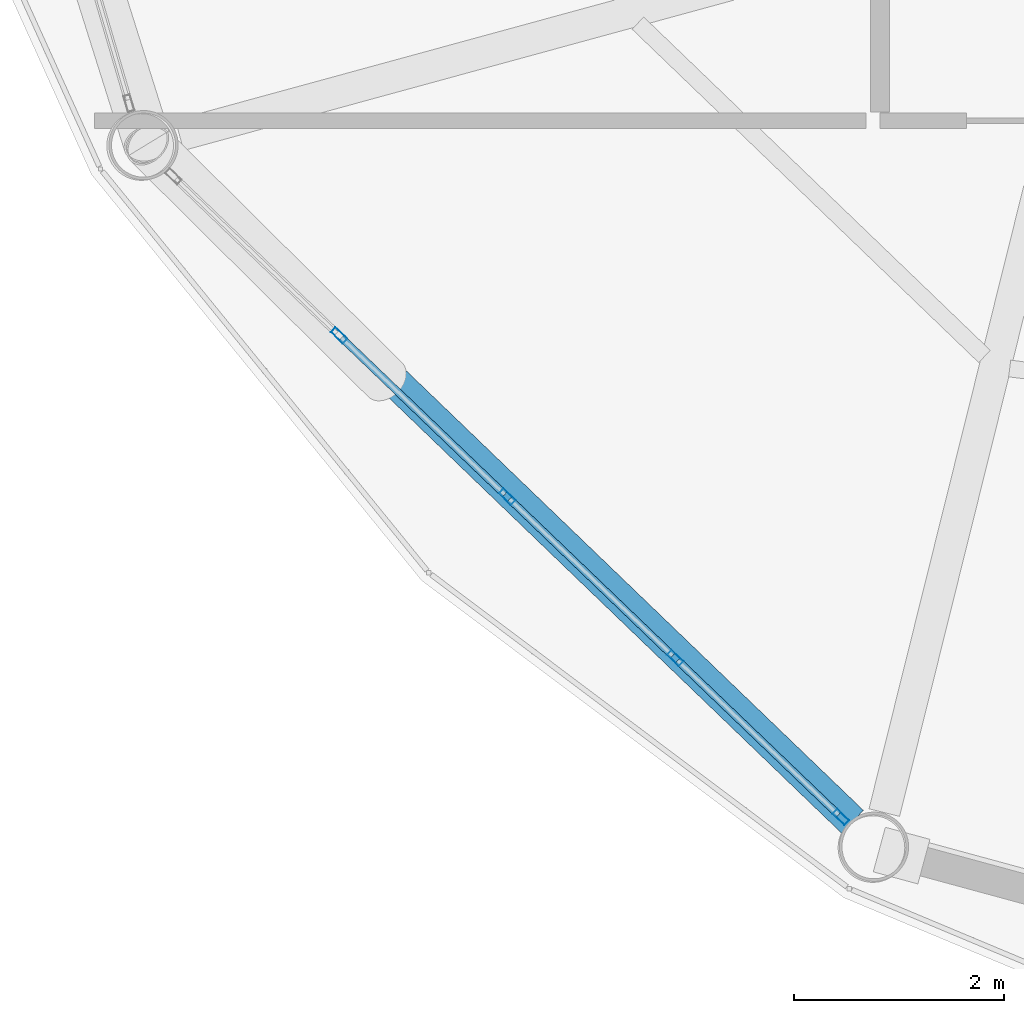
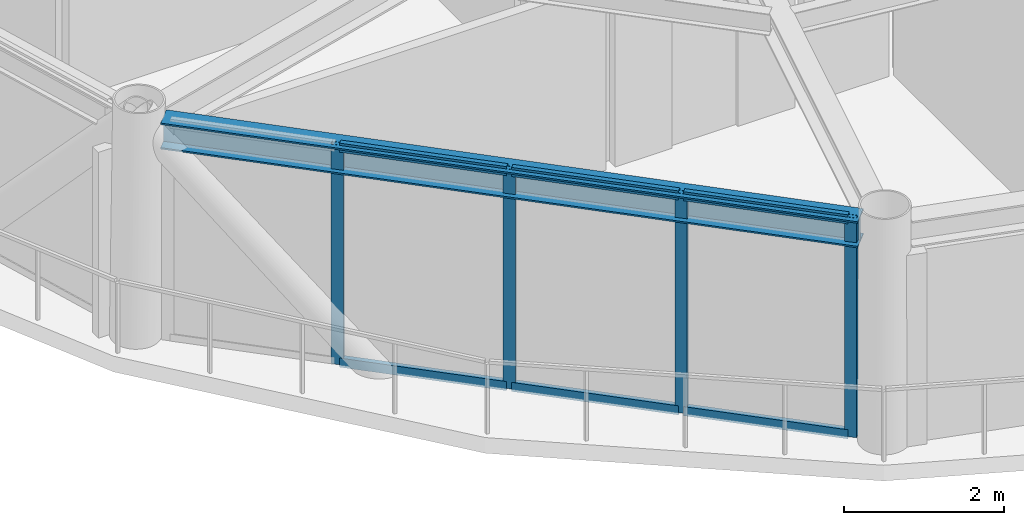
# One storey, part 2 of 28: 10 members, 1 beam, 1 element without a shape of its own.
"""IFC4 building model written with IfcOpenShell, lengths in metres."""

from ifc_helpers import new_model, si_unit, direction, frame, origin, origin_2d, place, context, subcontext, project, spatial, hollow_rectangle, i_section, extrude, material, layer, layer_set, material_profile, profile_set, type_object, element, aggregate, save


model = new_model("IFC4")

# Units and contexts
model_context = context("Model", 3, precision=1e-05, world=origin(), true_north=direction((0.0, 1.0)))
body_context = subcontext(model_context, "Body", "Model", "MODEL_VIEW")
ifc_project = project(units=[si_unit("LENGTHUNIT", "METRE"), si_unit("AREAUNIT", "SQUARE_METRE"), si_unit("VOLUMEUNIT", "CUBIC_METRE"), si_unit("PLANEANGLEUNIT", "RADIAN"), si_unit("MASSUNIT", "GRAM", prefix="KILO")], contexts=[model_context])

# Site, building, storey
site_placement = place(None, origin())
site = spatial("IfcSite", under=ifc_project, at=site_placement, CompositionType="ELEMENT")
building_placement = place(site_placement, origin())
building = spatial("IfcBuilding", under=site, at=building_placement, Name="Varnakorn Sky Granary", CompositionType="ELEMENT")
storey_placement = place(building_placement, frame((0.0, 0.0, 211.199951171875)))
storey = spatial("IfcBuildingStorey", under=building, at=storey_placement, Name="L53", CompositionType="ELEMENT", Elevation=211.199951171875)

# Beam
ifc_material_1 = material(Name="Steel S355JR", Category="steel")
ifc_material_profile_1 = material_profile(ifc_material_1, i_section(OverallWidth=0.300048828125, OverallDepth=0.39990234375, WebThickness=0.013427734375, FlangeThickness=0.02392578125, at=origin_2d()), Name="HE 400 B")
ifc_profile_set_1 = profile_set([ifc_material_profile_1], Name="Steel S355JR")
beam_type = type_object("IfcBeamType", Name="BM-SPD-Z4", PredefinedType="SPANDREL", material=ifc_profile_set_1)
beam_placement = place(storey_placement, frame((-11.351318359375, -9.33935546875, 3.16015625), z_axis=(0.720801797987, -0.693141232376, 0.0), x_axis=(0.693141232376, 0.720801797987, 0.0)))
element("IfcBeam", 1, at=beam_placement, inside=storey, type_object=beam_type, Name="Perimeter Spandrel Ring Beam RB08 L53", PredefinedType="SPANDREL", context=body_context, shape_type="SweptSolid", body=[
    extrude(i_section(OverallWidth=0.300048828125, OverallDepth=0.39990234375, WebThickness=0.013427734375, FlangeThickness=0.02392578125, at=origin_2d()), origin(), (0.0, 0.0, 1.0), 9.0029296875),
])

# Curtain wall, members
ifc_material_2 = material(Name="Anodised Bronze Aluminium Alloy 6063-T6", Category="aluminium")
ifc_layer = layer(ifc_material_2, 0.169921875, Name="Anodised Bronze Aluminium Alloy 6063-T6")
ifc_layer_set = layer_set([ifc_layer], Name="Anodised Bronze Aluminium Alloy 6063-T6")
curtain_wall_type = type_object("IfcCurtainWallType", Name="CW-LAB-1", PredefinedType="USERDEFINED", material=ifc_layer_set)
curtain_wall_placement = place(storey_placement, origin())
curtain_wall = element("IfcCurtainWall", 2, at=curtain_wall_placement, inside=storey, type_object=curtain_wall_type, Name="Unitised Curtain Wall CW5 CW-L53-B08", ObjectType="CURTAIN WALL", PredefinedType="USERDEFINED")
ifc_material_profile_2 = material_profile(ifc_material_2, hollow_rectangle(XDim=0.06494140625, YDim=0.159912109375, WallThickness=0.00341796875, at=origin_2d()), Name="ALU MULL 65x160")
ifc_profile_set_2 = profile_set([ifc_material_profile_2], Name="Anodised Bronze Aluminium Alloy 6063-T6")
member_type_1 = type_object("IfcMemberType", Name="CW-LAB-1-MULL", PredefinedType="MULLION", material=ifc_profile_set_2)
member_1_placement = place(storey_placement, frame((-4.9736328125, -15.534912109375, 0.0), z_axis=(0.0, 0.0, 1.0), x_axis=(-0.692516121649, -0.721402398982, 0.0)))
member_1 = element("IfcMember", 3, at=member_1_placement, type_object=member_type_1, Name="CW5 mullion 1", PredefinedType="MULLION", context=body_context, shape_type="SweptSolid", body=[
    extrude(hollow_rectangle(XDim=0.06494140625, YDim=0.159912109375, WallThickness=0.00341796875, at=origin_2d()), origin(), (0.0, 0.0, 1.0), 3.360107421875),
])
member_2_placement = place(storey_placement, frame((-6.5517578125, -14.02001953125, 0.0), z_axis=(0.0, 0.0, 1.0), x_axis=(-0.692516121649, -0.721402398982, 0.0)))
member_2 = element("IfcMember", 4, at=member_2_placement, type_object=member_type_1, Name="CW5 mullion 2", PredefinedType="MULLION", context=body_context, shape_type="SweptSolid", body=[
    extrude(hollow_rectangle(XDim=0.06494140625, YDim=0.159912109375, WallThickness=0.00341796875, at=origin_2d()), origin(), (0.0, 0.0, 1.0), 3.360107421875),
])
member_3_placement = place(storey_placement, frame((-8.1533203125, -12.482666015625, 0.0), z_axis=(0.0, 0.0, 1.0), x_axis=(-0.692516121649, -0.721402398982, 0.0)))
member_3 = element("IfcMember", 5, at=member_3_placement, type_object=member_type_1, Name="CW5 mullion 3", PredefinedType="MULLION", context=body_context, shape_type="SweptSolid", body=[
    extrude(hollow_rectangle(XDim=0.06494140625, YDim=0.159912109375, WallThickness=0.00341796875, at=origin_2d()), origin(), (0.0, 0.0, 1.0), 3.360107421875),
])
member_4_placement = place(storey_placement, frame((-9.754638671875, -10.9453125, 0.0), z_axis=(0.0, 0.0, 1.0), x_axis=(-0.692516121649, -0.721402398982, 0.0)))
member_4 = element("IfcMember", 6, at=member_4_placement, type_object=member_type_1, Name="CW5 mullion 4", PredefinedType="MULLION", context=body_context, shape_type="SweptSolid", body=[
    extrude(hollow_rectangle(XDim=0.06494140625, YDim=0.159912109375, WallThickness=0.00341796875, at=origin_2d()), origin(), (0.0, 0.0, 1.0), 3.360107421875),
])
ifc_material_profile_3 = material_profile(ifc_material_2, hollow_rectangle(XDim=0.070068359375, YDim=0.139892578125, WallThickness=0.00341796875, at=origin_2d()), Name="ALU TRAN 70x140")
ifc_profile_set_3 = profile_set([ifc_material_profile_3], Name="Anodised Bronze Aluminium Alloy 6063-T6")
member_type_2 = type_object("IfcMemberType", Name="CW-LAB-1-TRAN", PredefinedType="USERDEFINED", material=ifc_profile_set_3)
member_5_placement = place(storey_placement, frame((-4.9970703125, -15.512451171875, 0.03515625), z_axis=(-0.721394216342, 0.692524645503, 0.0), x_axis=(-0.692524645503, -0.721394216342, 0.0)))
member_5 = element("IfcMember", 7, at=member_5_placement, type_object=member_type_2, Name="CW5 transom 1.1", ObjectType="TRANSOM", PredefinedType="USERDEFINED", context=body_context, shape_type="SweptSolid", body=[
    extrude(hollow_rectangle(XDim=0.070068359375, YDim=0.139892578125, WallThickness=0.00341796875, at=origin_2d()), origin(), (0.0, 0.0, 1.0), 2.12255859375),
])
member_6_placement = place(storey_placement, frame((-4.9970703125, -15.512451171875, 3.324951171875), z_axis=(-0.721394216342, 0.692524645503, 0.0), x_axis=(-0.692524645503, -0.721394216342, 0.0)))
member_6 = element("IfcMember", 8, at=member_6_placement, type_object=member_type_2, Name="CW5 transom 1.2", ObjectType="TRANSOM", PredefinedType="USERDEFINED", context=body_context, shape_type="SweptSolid", body=[
    extrude(hollow_rectangle(XDim=0.070068359375, YDim=0.139892578125, WallThickness=0.00341796875, at=origin_2d()), origin(), (0.0, 0.0, 1.0), 2.12255859375),
])
member_7_placement = place(storey_placement, frame((-6.5751953125, -13.99755859375, 0.03515625), z_axis=(-0.721405434301, 0.692512959706, 0.0), x_axis=(-0.692512959706, -0.721405434301, 0.0)))
member_7 = element("IfcMember", 9, at=member_7_placement, type_object=member_type_2, Name="CW5 transom 2.1", ObjectType="TRANSOM", PredefinedType="USERDEFINED", context=body_context, shape_type="SweptSolid", body=[
    extrude(hollow_rectangle(XDim=0.070068359375, YDim=0.139892578125, WallThickness=0.00341796875, at=origin_2d()), origin(), (0.0, 0.0, 1.0), 2.15478515625),
])
member_8_placement = place(storey_placement, frame((-6.5751953125, -13.99755859375, 3.324951171875), z_axis=(-0.721405434301, 0.692512959706, 0.0), x_axis=(-0.692512959706, -0.721405434301, 0.0)))
member_8 = element("IfcMember", 10, at=member_8_placement, type_object=member_type_2, Name="CW5 transom 2.2", ObjectType="TRANSOM", PredefinedType="USERDEFINED", context=body_context, shape_type="SweptSolid", body=[
    extrude(hollow_rectangle(XDim=0.070068359375, YDim=0.139892578125, WallThickness=0.00341796875, at=origin_2d()), origin(), (0.0, 0.0, 1.0), 2.15478515625),
])
member_9_placement = place(storey_placement, frame((-8.1767578125, -12.460205078125, 0.03515625), z_axis=(-0.721405434301, 0.692512959706, 0.0), x_axis=(-0.692512959706, -0.721405434301, 0.0)))
member_9 = element("IfcMember", 11, at=member_9_placement, type_object=member_type_2, Name="CW5 transom 3.1", ObjectType="TRANSOM", PredefinedType="USERDEFINED", context=body_context, shape_type="SweptSolid", body=[
    extrude(hollow_rectangle(XDim=0.070068359375, YDim=0.139892578125, WallThickness=0.00341796875, at=origin_2d()), origin(), (0.0, 0.0, 1.0), 2.15478515625),
])
member_10_placement = place(storey_placement, frame((-8.1767578125, -12.460205078125, 3.324951171875), z_axis=(-0.721405434301, 0.692512959706, 0.0), x_axis=(-0.692512959706, -0.721405434301, 0.0)))
member_10 = element("IfcMember", 12, at=member_10_placement, type_object=member_type_2, Name="CW5 transom 3.2", ObjectType="TRANSOM", PredefinedType="USERDEFINED", context=body_context, shape_type="SweptSolid", body=[
    extrude(hollow_rectangle(XDim=0.070068359375, YDim=0.139892578125, WallThickness=0.00341796875, at=origin_2d()), origin(), (0.0, 0.0, 1.0), 2.15478515625),
])
aggregate(curtain_wall, [member_1, member_2, member_3, member_4, member_5, member_6, member_7, member_8, member_9, member_10])

save(model, "model.ifc")
